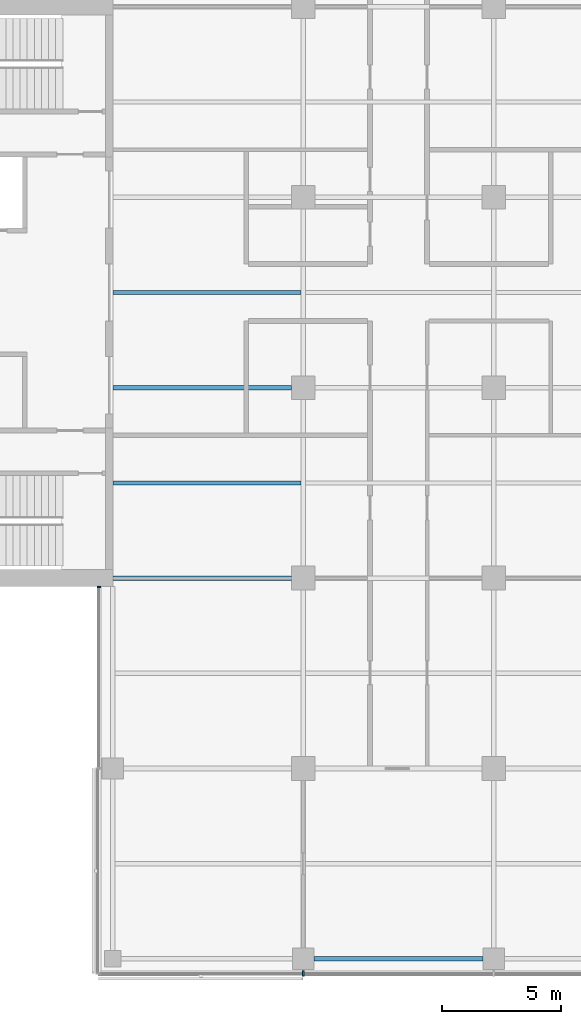
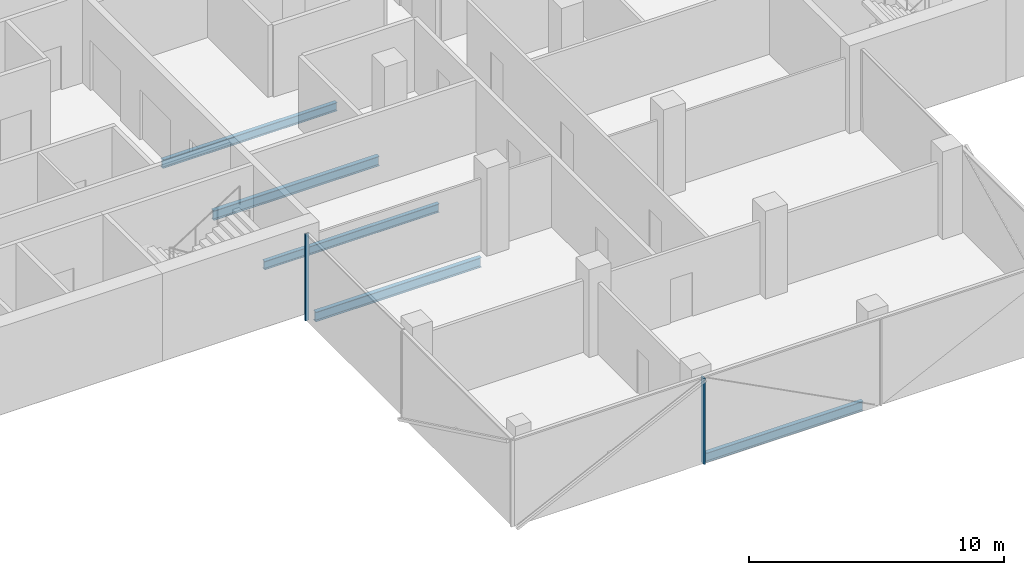
# One storey, part 4 of 22: 5 beams, 2 members, 2 elements without a shape of their own.
"""IFC4 building model written with IfcOpenShell, lengths in metres."""

from ifc_helpers import new_model, si_unit, direction, frame, origin, origin_2d, place, context, subcontext, project, spatial, rectangle, i_section, extrude, material, material_profile, profile_set, type_object, element, aggregate, save


model = new_model("IFC4")

# Units and contexts
model_context = context("Model", 3, precision=1e-05, world=origin(), true_north=direction((0.0, 1.0)))
body_context = subcontext(model_context, "Body", "Model", "MODEL_VIEW")
ifc_project = project(units=[si_unit("LENGTHUNIT", "METRE"), si_unit("AREAUNIT", "SQUARE_METRE"), si_unit("VOLUMEUNIT", "CUBIC_METRE"), si_unit("PLANEANGLEUNIT", "RADIAN"), si_unit("MASSUNIT", "GRAM", prefix="KILO")], contexts=[model_context])

# Site, building, storey
site_placement = place(None, origin())
site = spatial("IfcSite", under=ifc_project, at=site_placement, CompositionType="ELEMENT")
building_placement = place(site_placement, origin())
building = spatial("IfcBuilding", under=site, at=building_placement, Name="Crosswind Convention Tower", CompositionType="ELEMENT")
storey_placement = place(building_placement, frame((0.0, 0.0, 133.699951171875)))
storey = spatial("IfcBuildingStorey", under=building, at=storey_placement, Name="L27", CompositionType="ELEMENT", Elevation=133.699951171875)

# Beams
ifc_material_1 = material(Name="Steel S355", Category="steel")
ifc_material_profile_1 = material_profile(ifc_material_1, i_section(OverallWidth=0.18994140625, OverallDepth=0.45361328125, WebThickness=0.008544921875, FlangeThickness=0.0126953125, FilletRadius=0.01025390625, at=origin_2d()), Name="UB 457x191x67")
ifc_profile_set_1 = profile_set([ifc_material_profile_1], Name="Steel S355")
beam_type_1 = type_object("IfcBeamType", Name="Edge beam UB 457x191x67", PredefinedType="SPANDREL", material=ifc_profile_set_1)
beam_placement = place(storey_placement, frame((121.449951171875, 72.0, -0.52685546875), z_axis=(1.0, 0.0, 0.0), x_axis=(0.0, 1.0, 0.0)))
element("IfcBeam", 1, at=beam_placement, inside=storey, type_object=beam_type_1, Name="B16 L27 edge beam 12", PredefinedType="SPANDREL", context=body_context, shape_type="SweptSolid", body=[
    extrude(i_section(OverallWidth=0.18994140625, OverallDepth=0.45361328125, WebThickness=0.008544921875, FlangeThickness=0.0126953125, FilletRadius=0.01025390625, at=origin_2d()), origin(), (0.0, 0.0, 1.0), 7.10009765625),
])
ifc_material_profile_2 = material_profile(ifc_material_1, i_section(OverallWidth=0.19189453125, OverallDepth=0.463623046875, WebThickness=0.010498046875, FlangeThickness=0.017578125, FilletRadius=0.01025390625, at=origin_2d()), Name="UB 457x191x90")
ifc_profile_set_2 = profile_set([ifc_material_profile_2], Name="Steel S355")
beam_type_2 = type_object("IfcBeamType", Name="Girder at core wall UB 457x191x90", PredefinedType="BEAM", material=ifc_profile_set_2)
for number, where, z_axis, x_axis, name in (
    (2, (113.0, 88.0, -0.53173828125), (1.0, 0.0, 0.0), (0.0, 1.0, 0.0), "B24 L27 girder at core wall 3"),
    (3, (113.0, 96.0, -0.53173828125), (1.0, 0.0, 0.0), (0.0, 1.0, 0.0), "B24 L27 girder at core wall 4"),
):
    element("IfcBeam", number, at=place(storey_placement, frame(where, z_axis=z_axis, x_axis=x_axis)), inside=storey, type_object=beam_type_2, Name=name, PredefinedType="BEAM", context=body_context, shape_type="SweptSolid", body=[
        extrude(i_section(OverallWidth=0.19189453125, OverallDepth=0.463623046875, WebThickness=0.010498046875, FlangeThickness=0.017578125, FilletRadius=0.01025390625, at=origin_2d()), origin(), (0.0, 0.0, 1.0), 7.5),
    ])

# Curtain wall, member
ifc_material_2 = material(Name="Aluminium unitised curtain wall", Category="aluminium")
curtain_wall_type_1 = type_object("IfcCurtainWallType", Name="CORE END SLOT WALL 160", PredefinedType="USERDEFINED", material=ifc_material_2)
curtain_wall_1_placement = place(storey_placement, origin())
curtain_wall_1 = element("IfcCurtainWall", 4, at=curtain_wall_1_placement, inside=storey, type_object=curtain_wall_type_1, Name="CW6 L27 S-W.1-1 slot", ObjectType="UNITISED", PredefinedType="USERDEFINED")
ifc_material_3 = material(Name="Aluminium mullion", Category="aluminium")
ifc_material_profile_3 = material_profile(ifc_material_3, rectangle(XDim=0.159912109375, YDim=0.050048828125, at=origin_2d()), Name="AL 160X50")
ifc_profile_set_3 = profile_set([ifc_material_profile_3], Name="Aluminium mullion")
member_type_1 = type_object("IfcMemberType", Name="MULLION 50X160", PredefinedType="MULLION", material=ifc_profile_set_3)
member_1_placement = place(storey_placement, frame((112.419921875, 87.625, -0.300048828125), z_axis=(0.0, 0.0, 1.0), x_axis=(-1.0, 0.0, 0.0)))
member_1 = element("IfcMember", 5, at=member_1_placement, type_object=member_type_1, Name="CW6 mullion 1", PredefinedType="MULLION", context=body_context, shape_type="SweptSolid", body=[
    extrude(rectangle(XDim=0.159912109375, YDim=0.050048828125, at=origin_2d()), origin(), (0.0, 0.0, 1.0), 4.150146484375),
])
aggregate(curtain_wall_1, [member_1])

curtain_wall_type_2 = type_object("IfcCurtainWallType", Name="OFFICE UNITISED WALL 220", PredefinedType="USERDEFINED", material=ifc_material_2)
curtain_wall_2_placement = place(storey_placement, origin())
curtain_wall_2 = element("IfcCurtainWall", 6, at=curtain_wall_2_placement, inside=storey, type_object=curtain_wall_type_2, Name="CW3 L27 S-TIP 1", ObjectType="UNITISED", PredefinedType="USERDEFINED")
ifc_material_profile_4 = material_profile(ifc_material_3, rectangle(XDim=0.219970703125, YDim=0.070068359375, at=origin_2d()), Name="AL 220X70")
ifc_profile_set_4 = profile_set([ifc_material_profile_4], Name="Aluminium mullion")
member_type_2 = type_object("IfcMemberType", Name="MULLION 70X220", PredefinedType="MULLION", material=ifc_profile_set_4)
member_2_placement = place(storey_placement, frame((121.0, 71.389892578125, -0.300048828125), z_axis=(0.0, 0.0, 1.0), x_axis=(0.0, -1.0, 0.0)))
member_2 = element("IfcMember", 7, at=member_2_placement, type_object=member_type_2, Name="CW3 mullion 2", PredefinedType="MULLION", context=body_context, shape_type="SweptSolid", body=[
    extrude(rectangle(XDim=0.219970703125, YDim=0.070068359375, at=origin_2d()), origin(), (0.0, 0.0, 1.0), 4.130126953125),
])
aggregate(curtain_wall_2, [member_2])

# Beams
ifc_material_profile_5 = material_profile(ifc_material_1, i_section(OverallWidth=0.177734375, OverallDepth=0.406494140625, WebThickness=0.0078125, FlangeThickness=0.0126953125, FilletRadius=0.01025390625, at=origin_2d()), Name="UB 406x178x60")
ifc_profile_set_5 = profile_set([ifc_material_profile_5], Name="Steel S355")
beam_type_3 = type_object("IfcBeamType", Name="Secondary beam UB 406x178x60", PredefinedType="JOIST", material=ifc_profile_set_5)
for number, where, z_axis, x_axis, name in (
    (8, (113.0, 92.0, -0.503173828125), (1.0, 0.0, 0.0), (0.0, 1.0, 0.0), "B10 L27 secondary beam 4"),
    (9, (113.0, 100.0, -0.503173828125), (1.0, 0.0, 0.0), (0.0, 1.0, 0.0), "B10 L27 secondary beam 5"),
):
    element("IfcBeam", number, at=place(storey_placement, frame(where, z_axis=z_axis, x_axis=x_axis)), inside=storey, type_object=beam_type_3, Name=name, PredefinedType="JOIST", context=body_context, shape_type="SweptSolid", body=[
        extrude(i_section(OverallWidth=0.177734375, OverallDepth=0.406494140625, WebThickness=0.0078125, FlangeThickness=0.0126953125, FilletRadius=0.01025390625, at=origin_2d()), origin(), (0.0, 0.0, 1.0), 7.904296875),
    ])

save(model, "model.ifc")
